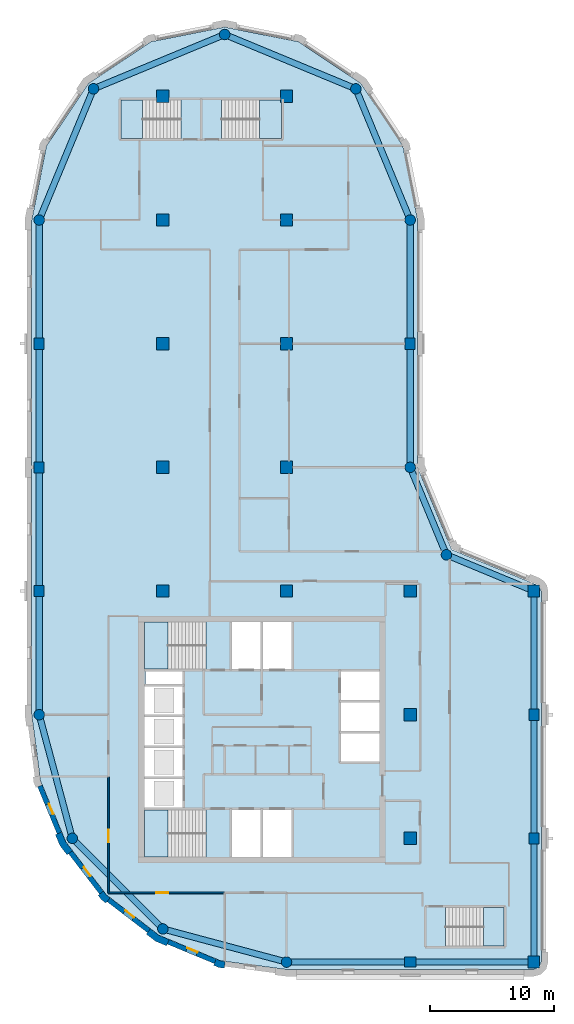
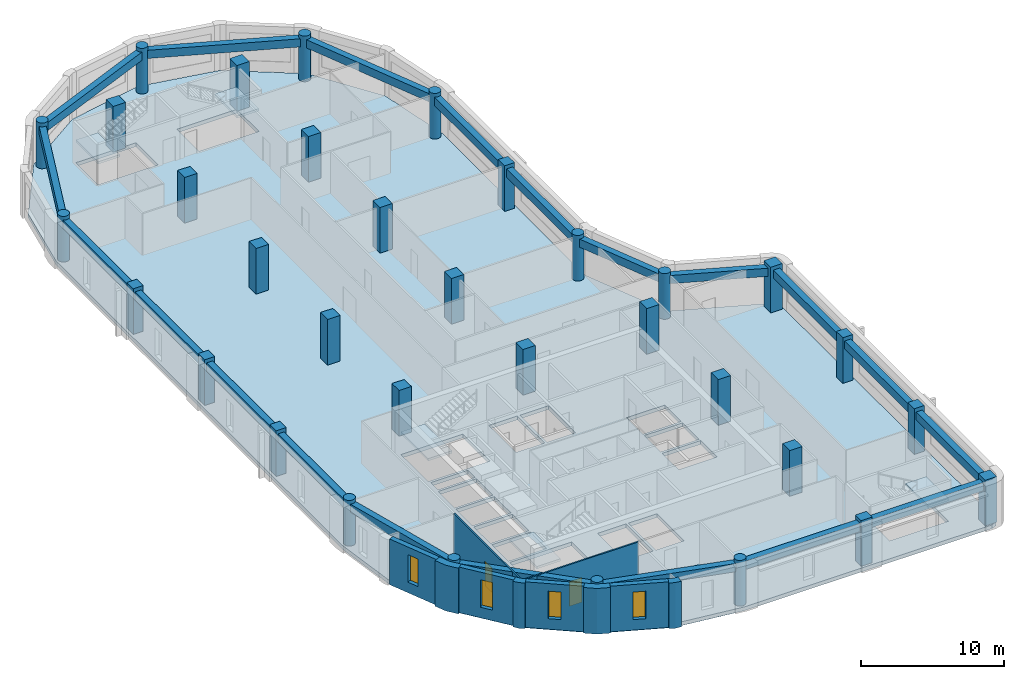
# One storey, part 1 of 8: 33 columns, 20 beams, 10 walls, 6 slabs, 4 windows, 2 doors, 6 openings, 5 elements without a shape of their own.
"""IFC4 building model written with IfcOpenShell, lengths in metres."""

from ifc_helpers import new_model, si_unit, direction, frame, frame_2d, origin, origin_2d, place, context, subcontext, project, spatial, polyline, rectangle, circle, outline, extrude, material, layer, layer_set, material_profile, profile_set, type_object, element, fill, aggregate, save


model = new_model("IFC4")

# Units and contexts
model_context = context("Model", 3, precision=1e-05, world=origin(), true_north=direction((0.0, 1.0)))
body_context = subcontext(model_context, "Body", "Model", "MODEL_VIEW")
ifc_project = project(units=[si_unit("LENGTHUNIT", "METRE"), si_unit("AREAUNIT", "SQUARE_METRE"), si_unit("VOLUMEUNIT", "CUBIC_METRE"), si_unit("PLANEANGLEUNIT", "RADIAN"), si_unit("MASSUNIT", "GRAM", prefix="KILO")], contexts=[model_context])

# Site, building, storey
site_placement = place(None, origin())
site = spatial("IfcSite", under=ifc_project, at=site_placement, CompositionType="ELEMENT")
building_placement = place(site_placement, origin())
building = spatial("IfcBuilding", under=site, at=building_placement, Name="Qaws Garden Tower", CompositionType="ELEMENT")
storey_placement = place(building_placement, frame((0.0, 0.0, 290.39990234375)))
storey = spatial("IfcBuildingStorey", under=building, at=storey_placement, Name="L70", CompositionType="ELEMENT", Elevation=290.39990234375)

# Columns
ifc_material_1 = material(Name="Concrete C60", Category="concrete")
ifc_material_profile_1 = material_profile(ifc_material_1, rectangle(XDim=1.0, YDim=1.0, at=origin_2d()), Name="RC 1000x1000")
ifc_profile_set_1 = profile_set([ifc_material_profile_1], Name="Concrete C60")
column_type_1 = type_object("IfcColumnType", Name="Column RC 1000x1000 C60", PredefinedType="COLUMN", material=ifc_profile_set_1)
for number, where, z_axis, x_axis, name in (
    (1, (10.0, 30.0, 0.0), (0.0, 0.0, 1.0), (1.0, 0.0, 0.0), "Column L70-021"),
    (2, (10.0, 40.0, 0.0), (0.0, 0.0, 1.0), (1.0, 0.0, 0.0), "Column L70-022"),
    (3, (10.0, 50.0, 0.0), (0.0, 0.0, 1.0), (1.0, 0.0, 0.0), "Column L70-023"),
    (4, (10.0, 60.0, 0.0), (0.0, 0.0, 1.0), (1.0, 0.0, 0.0), "Column L70-024"),
    (5, (10.0, 70.0, 0.0), (0.0, 0.0, 1.0), (1.0, 0.0, 0.0), "Column L70-025"),
    (6, (20.0, 30.0, 0.0), (0.0, 0.0, 1.0), (1.0, 0.0, 0.0), "Column L70-026"),
    (7, (20.0, 40.0, 0.0), (0.0, 0.0, 1.0), (1.0, 0.0, 0.0), "Column L70-027"),
    (8, (20.0, 50.0, 0.0), (0.0, 0.0, 1.0), (1.0, 0.0, 0.0), "Column L70-028"),
    (9, (20.0, 60.0, 0.0), (0.0, 0.0, 1.0), (1.0, 0.0, 0.0), "Column L70-029"),
    (10, (20.0, 70.0, 0.0), (0.0, 0.0, 1.0), (1.0, 0.0, 0.0), "Column L70-030"),
    (11, (30.0, 10.0, 0.0), (0.0, 0.0, 1.0), (1.0, 0.0, 0.0), "Column L70-031"),
    (12, (30.0, 20.0, 0.0), (0.0, 0.0, 1.0), (1.0, 0.0, 0.0), "Column L70-032"),
    (13, (30.0, 30.0, 0.0), (0.0, 0.0, 1.0), (1.0, 0.0, 0.0), "Column L70-033"),
):
    element("IfcColumn", number, at=place(storey_placement, frame(where, z_axis=z_axis, x_axis=x_axis)), inside=storey, type_object=column_type_1, Name=name, PredefinedType="COLUMN", context=body_context, shape_type="SweptSolid", body=[
        extrude(rectangle(XDim=1.0, YDim=1.0, at=origin_2d()), origin(), (0.0, 0.0, 1.0), 3.900146484375),
    ])
ifc_material_2 = material(Name="Concrete C60", Category="concrete")
ifc_material_profile_2 = material_profile(ifc_material_2, rectangle(XDim=0.89990234375, YDim=0.800048828125, at=origin_2d()), Name="RC 900x800")
ifc_profile_set_2 = profile_set([ifc_material_profile_2], Name="Concrete C60")
column_type_2 = type_object("IfcColumnType", Name="Column RC 900x800 C60", PredefinedType="COLUMN", material=ifc_profile_set_2)
for number, where, z_axis, x_axis, name in (
    (14, (30.0, 0.0, 0.0), (0.0, 0.0, 1.0), (1.0, 0.0, 0.0), "Column L70-002"),
    (15, (40.0, 10.0, 0.0), (0.0, 0.0, 1.0), (0.0, 1.0, 0.0), "Column L70-004"),
    (16, (40.0, 20.0, 0.0), (0.0, 0.0, 1.0), (0.0, 1.0, 0.0), "Column L70-005"),
    (17, (30.0, 50.0, 0.0), (0.0, 0.0, 1.0), (0.0, 1.0, 0.0), "Column L70-009"),
    (18, (0.0, 50.0, 0.0), (0.0, 0.0, 1.0), (0.0, 1.0, 0.0), "Column L70-015"),
    (19, (0.0, 40.0, 0.0), (0.0, 0.0, 1.0), (0.0, 1.0, 0.0), "Column L70-016"),
    (20, (0.0, 30.0, 0.0), (0.0, 0.0, 1.0), (0.0, 1.0, 0.0), "Column L70-017"),
):
    element("IfcColumn", number, at=place(storey_placement, frame(where, z_axis=z_axis, x_axis=x_axis)), inside=storey, type_object=column_type_2, Name=name, PredefinedType="COLUMN", context=body_context, shape_type="SweptSolid", body=[
        extrude(rectangle(XDim=0.89990234375, YDim=0.800048828125, at=origin_2d()), origin(), (0.0, 0.0, 1.0), 3.900146484375),
    ])
ifc_material_3 = material(Name="Concrete C60", Category="concrete")
ifc_material_profile_3 = material_profile(ifc_material_3, rectangle(XDim=0.949951171875, YDim=0.949951171875, at=origin_2d()), Name="RC 950x950")
ifc_profile_set_3 = profile_set([ifc_material_profile_3], Name="Concrete C60")
column_type_3 = type_object("IfcColumnType", Name="Column RC 950x950 C60", PredefinedType="COLUMN", material=ifc_profile_set_3)
for number, where, z_axis, x_axis, name in (
    (21, (40.0, 0.0, 0.0), (0.0, 0.0, 1.0), (1.0, 0.0, 0.0), "Column L70-003"),
    (22, (40.0, 30.0, 0.0), (0.0, 0.0, 1.0), (1.0, 0.0, 0.0), "Column L70-006"),
):
    element("IfcColumn", number, at=place(storey_placement, frame(where, z_axis=z_axis, x_axis=x_axis)), inside=storey, type_object=column_type_3, Name=name, PredefinedType="COLUMN", context=body_context, shape_type="SweptSolid", body=[
        extrude(rectangle(XDim=0.949951171875, YDim=0.949951171875, at=origin_2d()), origin(), (0.0, 0.0, 1.0), 3.900146484375),
    ])
ifc_material_4 = material(Name="Concrete C60", Category="concrete")
ifc_material_profile_4 = material_profile(ifc_material_4, circle(Radius=0.425048828125, at=origin_2d()), Name="RC D850")
ifc_profile_set_4 = profile_set([ifc_material_profile_4], Name="Concrete C60")
column_type_4 = type_object("IfcColumnType", Name="Column RC D850 C60", PredefinedType="COLUMN", material=ifc_profile_set_4)
for number, where, z_axis, x_axis, name in (
    (23, (20.0, 0.0, 0.0), (0.0, 0.0, 1.0), (1.0, 0.0, 0.0), "Column L70-001"),
    (24, (32.928955078125, 32.928955078125, 0.0), (0.0, 0.0, 1.0), (1.0, 0.0, 0.0), "Column L70-007"),
    (25, (30.0, 40.0, 0.0), (0.0, 0.0, 1.0), (1.0, 0.0, 0.0), "Column L70-008"),
    (26, (30.0, 60.0, 0.0), (0.0, 0.0, 1.0), (1.0, 0.0, 0.0), "Column L70-010"),
    (27, (25.606689453125, 70.606689453125, 0.0), (0.0, 0.0, 1.0), (1.0, 0.0, 0.0), "Column L70-011"),
    (28, (15.0, 75.0, 0.0), (0.0, 0.0, 1.0), (1.0, 0.0, 0.0), "Column L70-012"),
    (29, (4.393310546875, 70.606689453125, 0.0), (0.0, 0.0, 1.0), (1.0, 0.0, 0.0), "Column L70-013"),
    (30, (0.0, 60.0, 0.0), (0.0, 0.0, 1.0), (1.0, 0.0, 0.0), "Column L70-014"),
    (31, (0.0, 20.0, 0.0), (0.0, 0.0, 1.0), (1.0, 0.0, 0.0), "Column L70-018"),
    (32, (2.679443359375, 10.0, 0.0), (0.0, 0.0, 1.0), (1.0, 0.0, 0.0), "Column L70-019"),
    (33, (10.0, 2.679443359375, 0.0), (0.0, 0.0, 1.0), (1.0, 0.0, 0.0), "Column L70-020"),
):
    element("IfcColumn", number, at=place(storey_placement, frame(where, z_axis=z_axis, x_axis=x_axis)), inside=storey, type_object=column_type_4, Name=name, PredefinedType="COLUMN", context=body_context, shape_type="SweptSolid", body=[
        extrude(circle(Radius=0.425048828125, at=origin_2d()), origin(), (0.0, 0.0, 1.0), 3.900146484375),
    ])

# Beams
ifc_material_5 = material(Name="Concrete C45", Category="concrete")
ifc_material_profile_5 = material_profile(ifc_material_5, rectangle(XDim=0.5, YDim=0.699951171875, at=origin_2d()), Name="RC 500x700")
ifc_profile_set_5 = profile_set([ifc_material_profile_5], Name="Concrete C45")
beam_type = type_object("IfcBeamType", Name="Spandrel beam RC 500x700 C45", PredefinedType="SPANDREL", material=ifc_profile_set_5)
for number, where, z_axis, x_axis, name in (
    (34, (20.0, 0.0, 3.22998046875), (1.0, 0.0, 0.0), (0.0, 1.0, 0.0), "Spandrel beam L70-001"),
    (35, (30.0, 0.0, 3.22998046875), (1.0, 0.0, 0.0), (0.0, 1.0, 0.0), "Spandrel beam L70-002"),
    (36, (40.0, 0.0, 3.22998046875), (0.0, 1.0, 0.0), (-1.0, 0.0, 0.0), "Spandrel beam L70-003"),
    (37, (40.0, 10.0, 3.22998046875), (0.0, 1.0, 0.0), (-1.0, 0.0, 0.0), "Spandrel beam L70-004"),
    (38, (40.0, 20.0, 3.22998046875), (0.0, 1.0, 0.0), (-1.0, 0.0, 0.0), "Spandrel beam L70-005"),
):
    element("IfcBeam", number, at=place(storey_placement, frame(where, z_axis=z_axis, x_axis=x_axis)), inside=storey, type_object=beam_type, Name=name, PredefinedType="SPANDREL", context=body_context, shape_type="SweptSolid", body=[
        extrude(rectangle(XDim=0.5, YDim=0.699951171875, at=origin_2d()), origin(), (0.0, 0.0, 1.0), 10.0),
    ])
for number, where, z_axis, x_axis, name in (
    (39, (40.0, 30.0, 3.22998046875), (-0.923878037141, 0.382687042488, 0.0), (-0.382687042488, -0.923878037141, 0.0), "Spandrel beam L70-006"),
    (40, (32.928955078125, 32.928955078125, 3.22998046875), (-0.382687042488, 0.923878037141, 0.0), (-0.923878037141, -0.382687042488, 0.0), "Spandrel beam L70-007"),
):
    element("IfcBeam", number, at=place(storey_placement, frame(where, z_axis=z_axis, x_axis=x_axis)), inside=storey, type_object=beam_type, Name=name, PredefinedType="SPANDREL", context=body_context, shape_type="SweptSolid", body=[
        extrude(rectangle(XDim=0.5, YDim=0.699951171875, at=origin_2d()), origin(), (0.0, 0.0, 1.0), 7.653564453125),
    ])
for number, where, z_axis, x_axis, name in (
    (41, (30.0, 40.0, 3.22998046875), (0.0, 1.0, 0.0), (-1.0, 0.0, 0.0), "Spandrel beam L70-008"),
    (42, (30.0, 50.0, 3.22998046875), (0.0, 1.0, 0.0), (-1.0, 0.0, 0.0), "Spandrel beam L70-009"),
):
    element("IfcBeam", number, at=place(storey_placement, frame(where, z_axis=z_axis, x_axis=x_axis)), inside=storey, type_object=beam_type, Name=name, PredefinedType="SPANDREL", context=body_context, shape_type="SweptSolid", body=[
        extrude(rectangle(XDim=0.5, YDim=0.699951171875, at=origin_2d()), origin(), (0.0, 0.0, 1.0), 10.0),
    ])
for number, where, z_axis, x_axis, name in (
    (43, (30.0, 60.0, 3.22998046875), (-0.382674207535, 0.923883353507, 0.0), (-0.923883353507, -0.382674207535, 0.0), "Spandrel beam L70-010"),
    (44, (25.606689453125, 70.606689453125, 3.22998046875), (-0.923883353507, 0.382674207535, 0.0), (-0.382674207535, -0.923883353507, 0.0), "Spandrel beam L70-011"),
    (45, (15.0, 75.0, 3.22998046875), (-0.923883353507, -0.382674207535, 0.0), (0.382674207535, -0.923883353507, 0.0), "Spandrel beam L70-012"),
    (46, (4.393310546875, 70.606689453125, 3.22998046875), (-0.382674207535, -0.923883353507, 0.0), (0.923883353507, -0.382674207535, 0.0), "Spandrel beam L70-013"),
):
    element("IfcBeam", number, at=place(storey_placement, frame(where, z_axis=z_axis, x_axis=x_axis)), inside=storey, type_object=beam_type, Name=name, PredefinedType="SPANDREL", context=body_context, shape_type="SweptSolid", body=[
        extrude(rectangle(XDim=0.5, YDim=0.699951171875, at=origin_2d()), origin(), (0.0, 0.0, 1.0), 11.48046875),
    ])
for number, where, z_axis, x_axis, name in (
    (47, (0.0, 60.0, 3.22998046875), (0.0, -1.0, 0.0), (1.0, 0.0, 0.0), "Spandrel beam L70-014"),
    (48, (0.0, 50.0, 3.22998046875), (0.0, -1.0, 0.0), (1.0, 0.0, 0.0), "Spandrel beam L70-015"),
    (49, (0.0, 40.0, 3.22998046875), (0.0, -1.0, 0.0), (1.0, 0.0, 0.0), "Spandrel beam L70-016"),
    (50, (0.0, 30.0, 3.22998046875), (0.0, -1.0, 0.0), (1.0, 0.0, 0.0), "Spandrel beam L70-017"),
):
    element("IfcBeam", number, at=place(storey_placement, frame(where, z_axis=z_axis, x_axis=x_axis)), inside=storey, type_object=beam_type, Name=name, PredefinedType="SPANDREL", context=body_context, shape_type="SweptSolid", body=[
        extrude(rectangle(XDim=0.5, YDim=0.699951171875, at=origin_2d()), origin(), (0.0, 0.0, 1.0), 10.0),
    ])
for number, where, z_axis, x_axis, name in (
    (51, (0.0, 20.0, 3.22998046875), (0.25881466832, -0.965926999034, 0.0), (0.965926999034, 0.25881466832, 0.0), "Spandrel beam L70-018"),
    (52, (2.679443359375, 10.0, 3.22998046875), (0.707106781187, -0.707106781187, 0.0), (0.707106781187, 0.707106781187, 0.0), "Spandrel beam L70-019"),
    (53, (10.0, 2.679443359375, 3.22998046875), (0.965926999034, -0.25881466832, 0.0), (0.25881466832, 0.965926999034, 0.0), "Spandrel beam L70-020"),
):
    element("IfcBeam", number, at=place(storey_placement, frame(where, z_axis=z_axis, x_axis=x_axis)), inside=storey, type_object=beam_type, Name=name, PredefinedType="SPANDREL", context=body_context, shape_type="SweptSolid", body=[
        extrude(rectangle(XDim=0.5, YDim=0.699951171875, at=origin_2d()), origin(), (0.0, 0.0, 1.0), 10.352783203125),
    ])

# Slab
ifc_material_6 = material(Name="Concrete C40", Category="concrete")
ifc_layer_1 = layer(ifc_material_6, 0.320068359375)
ifc_layer_set_1 = layer_set([ifc_layer_1], Name="Concrete C40")
slab_type_1 = type_object("IfcSlabType", Name="Floor slab 320 C40", PredefinedType="FLOOR", material=ifc_layer_set_1)
slab_1_placement = place(storey_placement, frame((0.0, 0.0, -0.31982421875)))
element("IfcSlab", 54, at=slab_1_placement, inside=storey, type_object=slab_type_1, Name="Floor slab L70", PredefinedType="FLOOR", context=body_context, shape_type="SweptSolid", body=[
    extrude(outline(polyline([(0.101806640625, 14.668212890625), (-0.60009765625, 20.0), (-0.60009765625, 30.60009765625), (-0.60009765625, 60.0), (-0.60009765625, 60.0), (0.58740234375, 65.969970703125), (3.968994140625, 71.031005859375), (9.030029296875, 74.41259765625), (15.0, 75.60009765625), (20.969970703125, 74.41259765625), (26.031005859375, 71.031005859375), (29.41259765625, 65.969970703125), (30.60009765625, 60.0), (30.60009765625, 40.0), (33.353271484375, 33.353271484375), (40.0, 30.60009765625), (40.42431640625, 30.42431640625), (40.60009765625, 30.0), (40.60009765625, 0.0), (40.42431640625, -0.42431640625), (40.0, -0.60009765625), (30.60009765625, -0.60009765625), (20.0, -0.60009765625), (14.668212890625, 0.101806640625), (9.699951171875, 2.159912109375), (5.43359375, 5.43359375), (2.159912109375, 9.699951171875), (0.101806640625, 14.668212890625)]), holes=[polyline([(13.49951171875, 12.300048828125), (8.5, 12.300048828125), (8.5, 8.5), (13.49951171875, 8.5), (13.49951171875, 12.300048828125)]), polyline([(17.89990234375, 12.300048828125), (15.60009765625, 12.300048828125), (15.60009765625, 8.5), (17.89990234375, 8.5), (17.89990234375, 12.300048828125)]), polyline([(11.60009765625, 14.800048828125), (8.5, 14.800048828125), (8.5, 12.5), (11.60009765625, 12.5), (11.60009765625, 14.800048828125)]), polyline([(11.60009765625, 17.300048828125), (8.5, 17.300048828125), (8.5, 15.0), (11.60009765625, 15.0), (11.60009765625, 17.300048828125)]), polyline([(11.60009765625, 19.800048828125), (8.5, 19.800048828125), (8.5, 17.5), (11.60009765625, 17.5), (11.60009765625, 19.800048828125)]), polyline([(11.60009765625, 22.300048828125), (8.5, 22.300048828125), (8.5, 20.0), (11.60009765625, 20.0), (11.60009765625, 22.300048828125)]), polyline([(11.60009765625, 23.5), (8.60009765625, 23.5), (8.60009765625, 22.5), (11.60009765625, 22.5), (11.60009765625, 23.5)]), polyline([(13.49951171875, 27.5), (8.5, 27.5), (8.5, 23.699951171875), (13.49951171875, 23.699951171875), (13.49951171875, 27.5)]), polyline([(11.449462890625, 69.699951171875), (6.60009765625, 69.699951171875), (6.60009765625, 66.60009765625), (11.449462890625, 66.60009765625), (11.449462890625, 69.699951171875)]), polyline([(37.60009765625, 4.39990234375), (32.8505859375, 4.39990234375), (32.8505859375, 1.300048828125), (37.60009765625, 1.300048828125), (37.60009765625, 4.39990234375)]), polyline([(20.39990234375, 12.300048828125), (18.10009765625, 12.300048828125), (18.10009765625, 8.5), (20.39990234375, 8.5), (20.39990234375, 12.300048828125)]), polyline([(27.5, 18.5), (24.39990234375, 18.5), (24.39990234375, 16.199951171875), (27.5, 16.199951171875), (27.5, 18.5)]), polyline([(27.5, 21.0), (24.39990234375, 21.0), (24.39990234375, 18.699951171875), (27.5, 18.699951171875), (27.5, 21.0)]), polyline([(27.5, 23.5), (24.39990234375, 23.5), (24.39990234375, 21.199951171875), (27.5, 21.199951171875), (27.5, 23.5)]), polyline([(17.89990234375, 27.5), (15.60009765625, 27.5), (15.60009765625, 23.699951171875), (17.89990234375, 23.699951171875), (17.89990234375, 27.5)]), polyline([(20.39990234375, 23.699951171875), (20.39990234375, 27.5), (18.10009765625, 27.5), (18.10009765625, 23.699951171875), (20.39990234375, 23.699951171875)]), polyline([(19.60009765625, 66.60009765625), (19.60009765625, 69.699951171875), (14.75048828125, 69.699951171875), (14.75048828125, 66.60009765625), (19.60009765625, 66.60009765625)])]), origin(), (0.0, 0.0, 1.0), 0.31982421875),
])

# Stair, slab
ifc_material_7 = material(Name="Concrete C40", Category="concrete")
stair_type_1 = type_object("IfcStairType", Name="Exit stair 1500", PredefinedType="HALF_TURN_STAIR", material=ifc_material_7)
placement_1 = place(storey_placement, origin())
stair_1 = element("IfcStair", 55, at=placement_1, inside=storey, type_object=stair_type_1, Name="Stair 1", PredefinedType="HALF_TURN_STAIR")
ifc_material_8 = material(Name="Concrete C40", Category="concrete")
ifc_layer_2 = layer(ifc_material_8, 0.199951171875)
ifc_layer_set_2 = layer_set([ifc_layer_2], Name="Concrete C40")
slab_type_2 = type_object("IfcSlabType", Name="Stair landing 200", PredefinedType="LANDING", material=ifc_layer_set_2)
placement_2 = place(storey_placement, frame((0.0, 0.0, 1.75)))
slab_2 = element("IfcSlab", 56, at=placement_2, type_object=slab_type_2, Name="ST1 landing 1", PredefinedType="LANDING", context=body_context, shape_type="SweptSolid", body=[
    extrude(outline(polyline([(8.5, 8.5), (10.419921875, 8.5), (10.419921875, 12.300048828125), (8.5, 12.300048828125), (8.5, 8.5)])), origin(), (0.0, 0.0, 1.0), 0.2001953125),
])
aggregate(stair_1, [slab_2])

stair_2 = element("IfcStair", 57, at=placement_1, inside=storey, type_object=stair_type_1, Name="Stair 4", PredefinedType="HALF_TURN_STAIR")
slab_3 = element("IfcSlab", 58, at=placement_2, type_object=slab_type_2, Name="ST4 landing 1", PredefinedType="LANDING", context=body_context, shape_type="SweptSolid", body=[
    extrude(outline(polyline([(8.5, 23.699951171875), (10.419921875, 23.699951171875), (10.419921875, 27.5), (8.5, 27.5), (8.5, 23.699951171875)])), origin(), (0.0, 0.0, 1.0), 0.2001953125),
])
aggregate(stair_2, [slab_3])

ifc_material_9 = material(Name="Concrete C40", Category="concrete")
stair_type_2 = type_object("IfcStairType", Name="Exit stair 1350", PredefinedType="HALF_TURN_STAIR", material=ifc_material_9)
stair_3 = element("IfcStair", 59, at=placement_1, inside=storey, type_object=stair_type_2, Name="Stair 5", PredefinedType="HALF_TURN_STAIR")
slab_4 = element("IfcSlab", 60, at=placement_2, type_object=slab_type_2, Name="ST5 landing 1", PredefinedType="LANDING", context=body_context, shape_type="SweptSolid", body=[
    extrude(outline(polyline([(35.929931640625, 1.300048828125), (37.60009765625, 1.300048828125), (37.60009765625, 4.39990234375), (35.929931640625, 4.39990234375), (35.929931640625, 1.300048828125)])), origin(), (0.0, 0.0, 1.0), 0.2001953125),
])
aggregate(stair_3, [slab_4])

stair_4 = element("IfcStair", 61, at=placement_1, inside=storey, type_object=stair_type_2, Name="Stair 6", PredefinedType="HALF_TURN_STAIR")
slab_5 = element("IfcSlab", 62, at=placement_2, type_object=slab_type_2, Name="ST6 landing 1", PredefinedType="LANDING", context=body_context, shape_type="SweptSolid", body=[
    extrude(outline(polyline([(6.60009765625, 66.60009765625), (8.3701171875, 66.60009765625), (8.3701171875, 69.699951171875), (6.60009765625, 69.699951171875), (6.60009765625, 66.60009765625)])), origin(), (0.0, 0.0, 1.0), 0.2001953125),
])
aggregate(stair_4, [slab_5])

stair_5 = element("IfcStair", 63, at=placement_1, inside=storey, type_object=stair_type_2, Name="Stair 7", PredefinedType="HALF_TURN_STAIR")
slab_6 = element("IfcSlab", 64, at=placement_2, type_object=slab_type_2, Name="ST7 landing 1", PredefinedType="LANDING", context=body_context, shape_type="SweptSolid", body=[
    extrude(outline(polyline([(17.830078125, 66.60009765625), (19.60009765625, 66.60009765625), (19.60009765625, 69.699951171875), (17.830078125, 69.699951171875), (17.830078125, 66.60009765625)])), origin(), (0.0, 0.0, 1.0), 0.2001953125),
])
aggregate(stair_5, [slab_6])

# Wall, opening, window
ifc_material_10 = material(Name="Clay facing brick masonry", Category="masonry")
ifc_layer_3 = layer(ifc_material_10, 0.39990234375)
ifc_layer_set_3 = layer_set([ifc_layer_3], Name="Clay facing brick masonry")
wall_type_1 = type_object("IfcWallType", Name="Brick infill wall 400", PredefinedType="SOLIDWALL", material=ifc_layer_set_3)
wall_1_placement = place(storey_placement, frame((0.05712890625, 14.240234375, 0.0), z_axis=(0.0, 0.0, 1.0), x_axis=(0.382721546029, -0.923863744394, 0.0)))
wall_1 = element("IfcWall", 65, at=wall_1_placement, inside=storey, type_object=wall_type_1, Name="E-L70-infill-22", PredefinedType="SOLIDWALL", context=body_context, shape_type="SweptSolid", body=[
    extrude(rectangle(XDim=4.120849609375, YDim=0.39990234375, at=frame_2d((2.060546875, 0.0))), origin(), (0.0, 0.0, 1.0), 3.900146484375),
])
opening_1_placement = place(wall_1_placement, frame((1.610595703125, 0.0, 0.89990234375)))
opening_1 = element("IfcOpeningElement", 66, at=opening_1_placement, cuts=wall_1, Name="Opening W09", PredefinedType="OPENING", context=body_context, shape_type="SweptSolid", body=[
    extrude(rectangle(XDim=0.89990234375, YDim=2.35009765625, at=frame_2d((0.449951171875, 1.175048828125))), frame((0.0, 0.2099609375, 0.0), z_axis=(0.0, -1.0, 0.0), x_axis=(1.0, 0.0, 0.0)), (0.0, 0.0, 1.0), 0.419921875),
])
ifc_material_11 = material(Name="Aluminium framed window, clear glazing", Category="aluminium")
window_type = type_object("IfcWindowType", Name="Slit window 900 x 2350", PartitioningType="SINGLE_PANEL", PredefinedType="WINDOW", material=ifc_material_11)
window_1_placement = place(opening_1_placement, origin())
window_1 = element("IfcWindow", 67, at=window_1_placement, inside=storey, type_object=window_type, Name="E-L70-window-22-0", OverallHeight=2.35009765625, OverallWidth=0.89990234375, PartitioningType="SINGLE_PANEL", PredefinedType="WINDOW", context=body_context, shape_type="SweptSolid", body=[
    extrude(rectangle(XDim=0.89990234375, YDim=2.35009765625, at=frame_2d((0.449951171875, 1.175048828125))), frame((0.0, 0.159912109375, 0.0), z_axis=(0.0, -1.0, 0.0), x_axis=(1.0, 0.0, 0.0)), (0.0, 0.0, 1.0), 0.06005859375),
])
fill(opening_1, window_1)

wall_2_placement = place(storey_placement, frame((2.53173828125, 8.87841796875, 0.0), z_axis=(0.0, 0.0, 1.0), x_axis=(0.608759824817, -0.793354571229, 0.0)))
wall_2 = element("IfcWall", 68, at=wall_2_placement, inside=storey, type_object=wall_type_1, Name="E-L70-infill-23", PredefinedType="SOLIDWALL", context=body_context, shape_type="SweptSolid", body=[
    extrude(rectangle(XDim=4.12109375, YDim=0.39990234375, at=frame_2d((2.060546875, 0.0))), origin(), (0.0, 0.0, 1.0), 3.900146484375),
])
opening_2_placement = place(wall_2_placement, frame((1.610595703125, 0.0, 0.89990234375)))
opening_2 = element("IfcOpeningElement", 69, at=opening_2_placement, cuts=wall_2, Name="Opening W09", PredefinedType="OPENING", context=body_context, shape_type="SweptSolid", body=[
    extrude(rectangle(XDim=0.89990234375, YDim=2.35009765625, at=frame_2d((0.449951171875, 1.175048828125))), frame((0.0, 0.2099609375, 0.0), z_axis=(0.0, -1.0, 0.0), x_axis=(1.0, 0.0, 0.0)), (0.0, 0.0, 1.0), 0.419921875),
])
window_2_placement = place(opening_2_placement, origin())
window_2 = element("IfcWindow", 70, at=window_2_placement, inside=storey, type_object=window_type, Name="E-L70-window-23-0", OverallHeight=2.35009765625, OverallWidth=0.89990234375, PartitioningType="SINGLE_PANEL", PredefinedType="WINDOW", context=body_context, shape_type="SweptSolid", body=[
    extrude(rectangle(XDim=0.89990234375, YDim=2.35009765625, at=frame_2d((0.449951171875, 1.175048828125))), frame((0.0, 0.159912109375, 0.0), z_axis=(0.0, -1.0, 0.0), x_axis=(1.0, 0.0, 0.0)), (0.0, 0.0, 1.0), 0.06005859375),
])
fill(opening_2, window_2)

wall_3_placement = place(storey_placement, frame((5.60888671875, 5.04052734375, 0.0), z_axis=(0.0, 0.0, 1.0), x_axis=(0.793354571229, -0.608759824817, 0.0)))
wall_3 = element("IfcWall", 71, at=wall_3_placement, inside=storey, type_object=wall_type_1, Name="E-L70-infill-24", PredefinedType="SOLIDWALL", context=body_context, shape_type="SweptSolid", body=[
    extrude(rectangle(XDim=4.12109375, YDim=0.39990234375, at=frame_2d((2.060546875, 0.0))), origin(), (0.0, 0.0, 1.0), 3.900146484375),
])
opening_3_placement = place(wall_3_placement, frame((1.610595703125, 0.0, 0.89990234375)))
opening_3 = element("IfcOpeningElement", 72, at=opening_3_placement, cuts=wall_3, Name="Opening W09", PredefinedType="OPENING", context=body_context, shape_type="SweptSolid", body=[
    extrude(rectangle(XDim=0.89990234375, YDim=2.35009765625, at=frame_2d((0.449951171875, 1.175048828125))), frame((0.0, 0.2099609375, 0.0), z_axis=(0.0, -1.0, 0.0), x_axis=(1.0, 0.0, 0.0)), (0.0, 0.0, 1.0), 0.419921875),
])
window_3_placement = place(opening_3_placement, origin())
window_3 = element("IfcWindow", 73, at=window_3_placement, inside=storey, type_object=window_type, Name="E-L70-window-24-0", OverallHeight=2.35009765625, OverallWidth=0.89990234375, PartitioningType="SINGLE_PANEL", PredefinedType="WINDOW", context=body_context, shape_type="SweptSolid", body=[
    extrude(rectangle(XDim=0.89990234375, YDim=2.35009765625, at=frame_2d((0.449951171875, 1.175048828125))), frame((0.0, 0.159912109375, 0.0), z_axis=(0.0, -1.0, 0.0), x_axis=(1.0, 0.0, 0.0)), (0.0, 0.0, 1.0), 0.06005859375),
])
fill(opening_3, window_3)

wall_4_placement = place(storey_placement, frame((10.43310546875, 1.63427734375, 0.0), z_axis=(0.0, 0.0, 1.0), x_axis=(0.923863744394, -0.382721546029, 0.0)))
wall_4 = element("IfcWall", 74, at=wall_4_placement, inside=storey, type_object=wall_type_1, Name="E-L70-infill-25", PredefinedType="SOLIDWALL", context=body_context, shape_type="SweptSolid", body=[
    extrude(rectangle(XDim=4.120849609375, YDim=0.39990234375, at=frame_2d((2.060546875, 0.0))), origin(), (0.0, 0.0, 1.0), 3.900146484375),
])
opening_4_placement = place(wall_4_placement, frame((1.610595703125, 0.0, 0.89990234375)))
opening_4 = element("IfcOpeningElement", 75, at=opening_4_placement, cuts=wall_4, Name="Opening W09", PredefinedType="OPENING", context=body_context, shape_type="SweptSolid", body=[
    extrude(rectangle(XDim=0.89990234375, YDim=2.35009765625, at=frame_2d((0.449951171875, 1.175048828125))), frame((0.0, 0.2099609375, 0.0), z_axis=(0.0, -1.0, 0.0), x_axis=(1.0, 0.0, 0.0)), (0.0, 0.0, 1.0), 0.419921875),
])
window_4_placement = place(opening_4_placement, origin())
window_4 = element("IfcWindow", 76, at=window_4_placement, inside=storey, type_object=window_type, Name="E-L70-window-25-0", OverallHeight=2.35009765625, OverallWidth=0.89990234375, PartitioningType="SINGLE_PANEL", PredefinedType="WINDOW", context=body_context, shape_type="SweptSolid", body=[
    extrude(rectangle(XDim=0.89990234375, YDim=2.35009765625, at=frame_2d((0.449951171875, 1.175048828125))), frame((0.0, 0.159912109375, 0.0), z_axis=(0.0, -1.0, 0.0), x_axis=(1.0, 0.0, 0.0)), (0.0, 0.0, 1.0), 0.06005859375),
])
fill(opening_4, window_4)

# Walls
ifc_material_12 = material(Name="Clay facing brick masonry", Category="masonry")
ifc_layer_4 = layer(ifc_material_12, 0.550048828125)
ifc_layer_set_4 = layer_set([ifc_layer_4], Name="Clay facing brick masonry")
wall_type_2 = type_object("IfcWallType", Name="Brick kink pier 550 x 600", PredefinedType="SOLIDWALL", material=ifc_layer_set_4)
element("IfcWall", 77, at=placement_1, inside=storey, type_object=wall_type_2, Name="E-L70-pier-24", PredefinedType="SOLIDWALL", context=body_context, shape_type="SweptSolid", body=[
    extrude(outline(polyline([(4.8818359375, 5.487060546875), (4.762939453125, 5.395751953125), (5.03759765625, 5.03759765625), (5.395751953125, 4.762939453125), (5.487060546875, 4.8818359375), (5.730712890625, 5.19921875), (5.429931640625, 5.429931640625), (5.19921875, 5.730712890625), (4.8818359375, 5.487060546875)])), origin(), (0.0, 0.0, 1.0), 3.900146484375),
])
element("IfcWall", 78, at=placement_1, inside=storey, type_object=wall_type_2, Name="E-L70-pier-26", PredefinedType="SOLIDWALL", context=body_context, shape_type="SweptSolid", body=[
    extrude(outline(polyline([(14.163818359375, -0.127685546875), (14.1064453125, -0.26611328125), (14.5234375, -0.43896484375), (14.970947265625, -0.497802734375), (14.990478515625, -0.34912109375), (15.042724609375, 0.04736328125), (14.6669921875, 0.096923828125), (14.31689453125, 0.241943359375), (14.163818359375, -0.127685546875)])), origin(), (0.0, 0.0, 1.0), 3.900146484375),
])
ifc_material_13 = material(Name="Clay facing brick masonry", Category="masonry")
ifc_layer_5 = layer(ifc_material_13, 0.550048828125)
ifc_layer_set_5 = layer_set([ifc_layer_5], Name="Clay facing brick masonry")
wall_type_3 = type_object("IfcWallType", Name="Brick pier 550 x 1600", PredefinedType="SOLIDWALL", material=ifc_layer_set_5)
element("IfcWall", 79, at=placement_1, inside=storey, type_object=wall_type_3, Name="E-L70-pier-23", PredefinedType="SOLIDWALL", context=body_context, shape_type="SweptSolid", body=[
    extrude(outline(polyline([(1.449462890625, 10.3564453125), (1.310791015625, 10.299072265625), (1.675048828125, 9.419921875), (2.254150390625, 8.665283203125), (2.373046875, 8.756591796875), (2.6904296875, 9.0), (2.1552734375, 9.697509765625), (1.819091796875, 10.509521484375), (1.449462890625, 10.3564453125)])), origin(), (0.0, 0.0, 1.0), 3.900146484375),
])
element("IfcWall", 80, at=placement_1, inside=storey, type_object=wall_type_3, Name="E-L70-pier-25", PredefinedType="SOLIDWALL", context=body_context, shape_type="SweptSolid", body=[
    extrude(outline(polyline([(8.756591796875, 2.373046875), (8.665283203125, 2.254150390625), (9.419921875, 1.675048828125), (10.299072265625, 1.310791015625), (10.3564453125, 1.449462890625), (10.509521484375, 1.819091796875), (9.697509765625, 2.1552734375), (9.0, 2.6904296875), (8.756591796875, 2.373046875)])), origin(), (0.0, 0.0, 1.0), 3.900146484375),
])

# Wall, opening, door
ifc_material_14 = material(Name="Glass and aluminium framing", Category="aluminium")
ifc_layer_6 = layer(ifc_material_14, 0.1201171875)
ifc_layer_set_6 = layer_set([ifc_layer_6], Name="Glass and aluminium framing")
wall_type_4 = type_object("IfcWallType", Name="GLAZED PARTITION 120 EI 30", PredefinedType="PARTITIONING", material=ifc_layer_set_6)
wall_9_placement = place(storey_placement, frame((5.60009765625, 5.60009765625, 0.0), z_axis=(0.0, 0.0, 1.0), x_axis=(0.0, 1.0, 0.0)))
wall_9 = element("IfcWall", 81, at=wall_9_placement, inside=storey, type_object=wall_type_4, Name="O-L70-wall-037", PredefinedType="PARTITIONING", context=body_context, shape_type="SweptSolid", body=[
    extrude(rectangle(XDim=9.39990234375, YDim=0.1201171875, at=frame_2d((4.699951171875, 0.0))), origin(), (0.0, 0.0, 1.0), 3.580078125),
])
opening_5_placement = place(wall_9_placement, frame((4.10009765625, 0.0, 0.0)))
opening_5 = element("IfcOpeningElement", 82, at=opening_5_placement, cuts=wall_9, Name="Opening C501", PredefinedType="OPENING", context=body_context, shape_type="SweptSolid", body=[
    extrude(rectangle(XDim=1.0, YDim=2.10009765625, at=frame_2d((0.5, 1.050048828125))), frame((0.0, 0.070068359375, 0.0), z_axis=(0.0, -1.0, 0.0), x_axis=(1.0, 0.0, 0.0)), (0.0, 0.0, 1.0), 0.14013671875),
])
ifc_material_15 = material(Name="Timber door leaf", Category="wood")
door_type = type_object("IfcDoorType", Name="TENANCY ENTRANCE DOOR 1000 X 2100", OperationType="SINGLE_SWING_LEFT", PredefinedType="DOOR", material=ifc_material_15)
door_1_placement = place(opening_5_placement, origin())
door_1 = element("IfcDoor", 83, at=door_1_placement, inside=storey, type_object=door_type, Name="O-L70-door-001", OperationType="SINGLE_SWING_RIGHT", OverallHeight=2.10009765625, OverallWidth=1.0, PredefinedType="DOOR", context=body_context, shape_type="SweptSolid", body=[
    extrude(rectangle(XDim=1.0, YDim=2.10009765625, at=frame_2d((0.5, 1.050048828125))), frame((0.0, 0.02490234375, 0.0), z_axis=(0.0, -1.0, 0.0), x_axis=(1.0, 0.0, 0.0)), (0.0, 0.0, 1.0), 0.050048828125),
])
fill(opening_5, door_1)

wall_10_placement = place(storey_placement, frame((5.60009765625, 5.60009765625, 0.0), z_axis=(0.0, 0.0, 1.0), x_axis=(1.0, 0.0, 0.0)))
wall_10 = element("IfcWall", 84, at=wall_10_placement, inside=storey, type_object=wall_type_4, Name="O-L70-wall-046", PredefinedType="PARTITIONING", context=body_context, shape_type="SweptSolid", body=[
    extrude(rectangle(XDim=9.39990234375, YDim=0.1201171875, at=frame_2d((4.699951171875, 0.0))), origin(), (0.0, 0.0, 1.0), 3.580078125),
])
opening_6_placement = place(wall_10_placement, frame((3.85009765625, 0.0, 0.0)))
opening_6 = element("IfcOpeningElement", 85, at=opening_6_placement, cuts=wall_10, Name="Opening C509", PredefinedType="OPENING", context=body_context, shape_type="SweptSolid", body=[
    extrude(rectangle(XDim=1.0, YDim=2.10009765625, at=frame_2d((0.5, 1.050048828125))), frame((0.0, 0.070068359375, 0.0), z_axis=(0.0, -1.0, 0.0), x_axis=(1.0, 0.0, 0.0)), (0.0, 0.0, 1.0), 0.14013671875),
])
door_2_placement = place(opening_6_placement, frame((1.0, 0.0, 0.0), z_axis=(0.0, 0.0, 1.0), x_axis=(-1.0, 0.0, 0.0)))
door_2 = element("IfcDoor", 86, at=door_2_placement, inside=storey, type_object=door_type, Name="O-L70-door-009", OperationType="SINGLE_SWING_LEFT", OverallHeight=2.10009765625, OverallWidth=1.0, PredefinedType="DOOR", context=body_context, shape_type="SweptSolid", body=[
    extrude(rectangle(XDim=1.0, YDim=2.10009765625, at=frame_2d((0.5, 1.050048828125))), frame((0.0, 0.02490234375, 0.0), z_axis=(0.0, -1.0, 0.0), x_axis=(1.0, 0.0, 0.0)), (0.0, 0.0, 1.0), 0.050048828125),
])
fill(opening_6, door_2)

save(model, "model.ifc")
